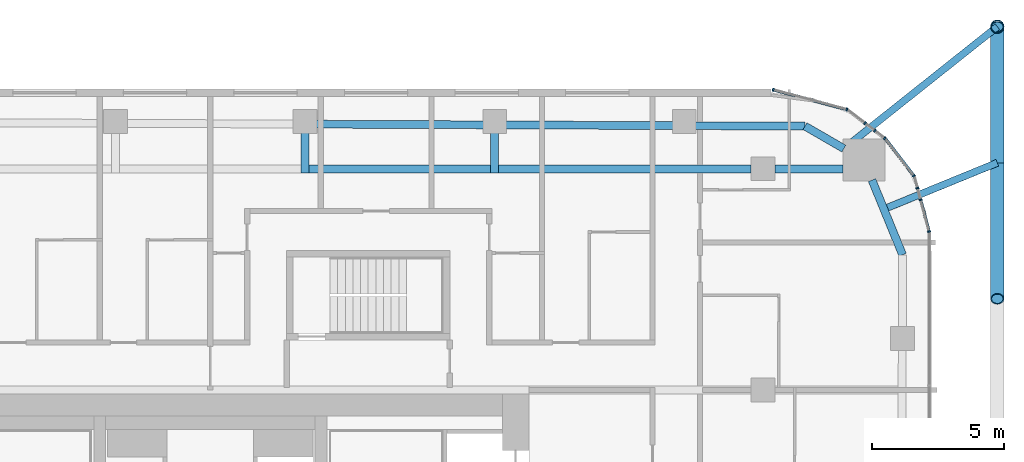
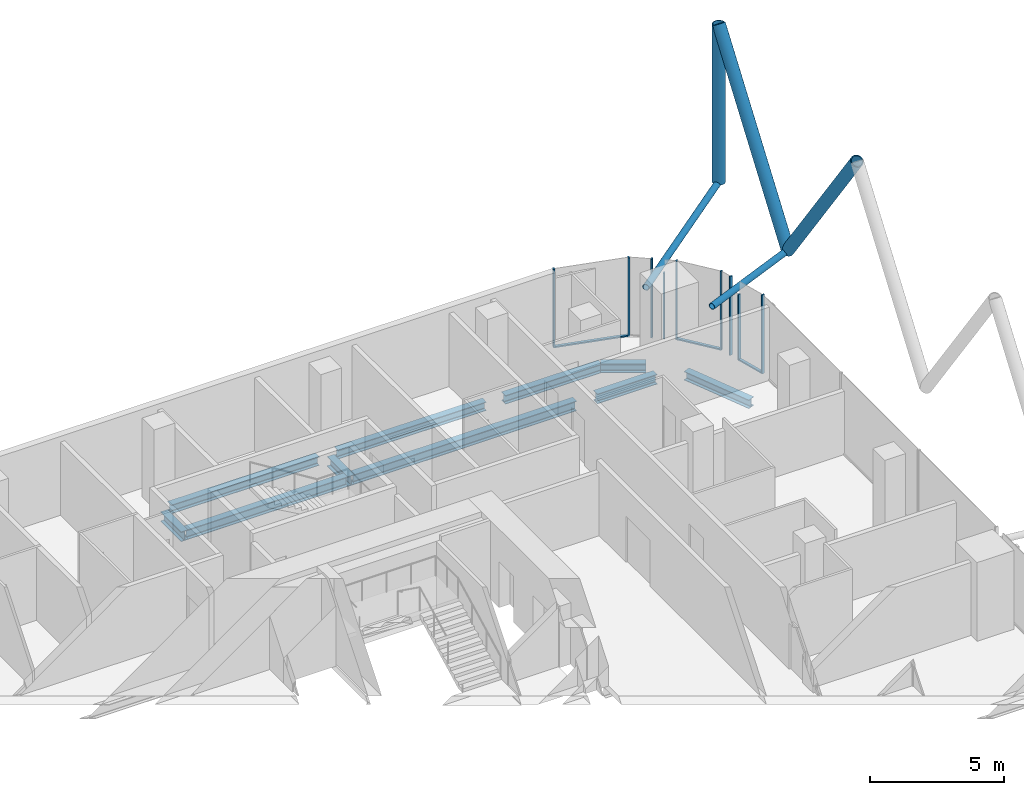
# One storey, part 14 of 36: 17 members, 10 beams, 8 elements without a shape of their own.
"""IFC4 building model written with IfcOpenShell, lengths in metres."""

from ifc_helpers import new_model, si_unit, direction, frame, origin, origin_2d, place, context, subcontext, project, spatial, rectangle, hollow_circle, i_section, extrude, material, layer, layer_set, material_profile, profile_set, type_object, element, aggregate, save


model = new_model("IFC4")

# Units and contexts
model_context = context("Model", 3, precision=1e-05, world=origin(), true_north=direction((0.0, 1.0)))
body_context = subcontext(model_context, "Body", "Model", "MODEL_VIEW")
ifc_project = project(units=[si_unit("LENGTHUNIT", "METRE"), si_unit("AREAUNIT", "SQUARE_METRE"), si_unit("VOLUMEUNIT", "CUBIC_METRE"), si_unit("PLANEANGLEUNIT", "RADIAN"), si_unit("MASSUNIT", "GRAM", prefix="KILO")], contexts=[model_context])

# Site, building, storey
site_placement = place(None, origin())
site = spatial("IfcSite", under=ifc_project, at=site_placement, CompositionType="ELEMENT")
building_placement = place(site_placement, origin())
building = spatial("IfcBuilding", under=site, at=building_placement, Name="Marenta Gate Hotel Tower", CompositionType="ELEMENT")
storey_placement = place(building_placement, frame((0.0, 0.0, 115.699951171875)))
storey = spatial("IfcBuildingStorey", under=building, at=storey_placement, Name="L25", CompositionType="ELEMENT", Elevation=115.699951171875)

# Members
ifc_material_1 = material(Name="Steel S355J2W", Category="steel")
ifc_material_profile_1 = material_profile(ifc_material_1, hollow_circle(Radius=0.25390625, WallThickness=0.02490234375, at=origin_2d()), Name="CHS 508x25")
ifc_profile_set_1 = profile_set([ifc_material_profile_1], Name="Steel S355J2W")
member_type_1 = type_object("IfcMemberType", Name="Diagrid corner post Z2 CHS 508x25", PredefinedType="POST", material=ifc_profile_set_1)
member_1_placement = place(storey_placement, frame((29.89990234375, 30.60009765625, 3.14013671875), z_axis=(0.0, 0.0, 1.0), x_axis=(1.0, 0.0, 0.0)))
element("IfcMember", 1, at=member_1_placement, inside=storey, type_object=member_type_1, Name="L25-DR-1", PredefinedType="POST", context=body_context, shape_type="SweptSolid", body=[
    extrude(hollow_circle(Radius=0.25390625, WallThickness=0.02490234375, at=origin_2d()), origin(), (0.0, 0.0, 1.0), 7.199951171875),
])
ifc_material_2 = material(Name="Steel S355J2W", Category="steel")
ifc_material_profile_2 = material_profile(ifc_material_2, hollow_circle(Radius=0.25390625, WallThickness=0.0400390625, at=origin_2d()), Name="CHS 508x40")
ifc_profile_set_2 = profile_set([ifc_material_profile_2], Name="Steel S355J2W")
member_type_2 = type_object("IfcMemberType", Name="Diagrid diagonal Z2 CHS 508x40", PredefinedType="BRACE", material=ifc_profile_set_2)
member_2_placement = place(storey_placement, frame((29.89990234375, 25.429931640625, 3.14013671875), z_axis=(0.0, 0.583279014058, 0.812271870595), x_axis=(-1.0, 0.0, 0.0)))
element("IfcMember", 2, at=member_2_placement, inside=storey, type_object=member_type_2, Name="L25-DG-1", PredefinedType="BRACE", context=body_context, shape_type="SweptSolid", body=[
    extrude(hollow_circle(Radius=0.25390625, WallThickness=0.0400390625, at=origin_2d()), origin(), (0.0, 0.0, 1.0), 8.864013671875),
])
member_3_placement = place(storey_placement, frame((29.89990234375, 25.429931640625, 3.14013671875), z_axis=(0.0, -0.583260841117, 0.812284919975), x_axis=(1.0, 0.0, 0.0)))
element("IfcMember", 3, at=member_3_placement, inside=storey, type_object=member_type_2, Name="L25-DG-2", PredefinedType="BRACE", context=body_context, shape_type="SweptSolid", body=[
    extrude(hollow_circle(Radius=0.25390625, WallThickness=0.0400390625, at=origin_2d()), origin(), (0.0, 0.0, 1.0), 8.86376953125),
])

# Beams
ifc_material_3 = material(Name="Steel S355", Category="steel")
ifc_material_profile_3 = material_profile(ifc_material_3, i_section(OverallWidth=0.300048828125, OverallDepth=0.39990234375, WebThickness=0.013427734375, FlangeThickness=0.02392578125, FilletRadius=0.027099609375, at=origin_2d()), Name="HEB 400")
ifc_profile_set_3 = profile_set([ifc_material_profile_3], Name="Steel S355")
beam_type_1 = type_object("IfcBeamType", Name="Edge beam HEB 400", PredefinedType="SPANDREL", material=ifc_profile_set_3)
beam_1_placement = place(storey_placement, frame((4.011474609375, 26.89697265625, -0.4599609375), z_axis=(0.999991780119, -0.004054589324, 0.0), x_axis=(0.004054589324, 0.999991780119, 0.0)))
element("IfcBeam", 4, at=beam_1_placement, inside=storey, type_object=beam_type_1, Name="L25-EB-17", PredefinedType="SPANDREL", context=body_context, shape_type="SweptSolid", body=[
    extrude(i_section(OverallWidth=0.300048828125, OverallDepth=0.39990234375, WebThickness=0.013427734375, FlangeThickness=0.02392578125, FilletRadius=0.027099609375, at=origin_2d()), origin(), (0.0, 0.0, 1.0), 6.382568359375),
])
beam_2_placement = place(storey_placement, frame((11.214111328125, 26.86767578125, -0.4599609375), z_axis=(0.999991780748, -0.00405443424, 0.0), x_axis=(0.00405443424, 0.999991780748, 0.0)))
element("IfcBeam", 5, at=beam_2_placement, inside=storey, type_object=beam_type_1, Name="L25-EB-18", PredefinedType="SPANDREL", context=body_context, shape_type="SweptSolid", body=[
    extrude(i_section(OverallWidth=0.300048828125, OverallDepth=0.39990234375, WebThickness=0.013427734375, FlangeThickness=0.02392578125, FilletRadius=0.027099609375, at=origin_2d()), origin(), (0.0, 0.0, 1.0), 6.3828125),
])
beam_3_placement = place(storey_placement, frame((18.4169921875, 26.83837890625, -0.4599609375), z_axis=(0.999991621459, -0.004093532953, 0.0), x_axis=(0.004093532953, 0.999991621459, 0.0)))
element("IfcBeam", 6, at=beam_3_placement, inside=storey, type_object=beam_type_1, Name="L25-EB-19", PredefinedType="SPANDREL", context=body_context, shape_type="SweptSolid", body=[
    extrude(i_section(OverallWidth=0.300048828125, OverallDepth=0.39990234375, WebThickness=0.013427734375, FlangeThickness=0.02392578125, FilletRadius=0.027099609375, at=origin_2d()), origin(), (0.0, 0.0, 1.0), 4.1748046875),
])
beam_4_placement = place(storey_placement, frame((22.591796875, 26.8212890625, -0.4599609375), z_axis=(0.866016478054, -0.500015459501, 0.0), x_axis=(0.500015459501, 0.866016478054, 0.0)))
element("IfcBeam", 7, at=beam_4_placement, inside=storey, type_object=beam_type_1, Name="L25-EB-20", PredefinedType="SPANDREL", context=body_context, shape_type="SweptSolid", body=[
    extrude(i_section(OverallWidth=0.300048828125, OverallDepth=0.39990234375, WebThickness=0.013427734375, FlangeThickness=0.02392578125, FilletRadius=0.027099609375, at=origin_2d()), origin(), (0.0, 0.0, 1.0), 1.70703125),
])
beam_5_placement = place(storey_placement, frame((25.138916015625, 24.7724609375, -0.4599609375), z_axis=(0.378682450416, -0.925526661824, 0.0), x_axis=(0.925526661824, 0.378682450416, 0.0)))
element("IfcBeam", 8, at=beam_5_placement, inside=storey, type_object=beam_type_1, Name="L25-EB-21", PredefinedType="SPANDREL", context=body_context, shape_type="SweptSolid", body=[
    extrude(i_section(OverallWidth=0.300048828125, OverallDepth=0.39990234375, WebThickness=0.013427734375, FlangeThickness=0.02392578125, FilletRadius=0.027099609375, at=origin_2d()), origin(), (0.0, 0.0, 1.0), 3.066162109375),
])

# Members
ifc_material_4 = material(Name="Steel S355J2W", Category="steel")
ifc_material_profile_4 = material_profile(ifc_material_4, hollow_circle(Radius=0.136474609375, WallThickness=0.012451171875, at=origin_2d()), Name="CHS 273x12.5")
ifc_profile_set_4 = profile_set([ifc_material_profile_4], Name="Steel S355J2W")
member_type_3 = type_object("IfcMemberType", Name="Floor tie CHS 273x12.5", PredefinedType="STRUT", material=ifc_profile_set_4)
member_4_placement = place(storey_placement, frame((29.89990234375, 30.60009765625, 3.14013671875), z_axis=(-0.782942525187, -0.622094046149, 0.0), x_axis=(0.622094046149, -0.782942525187, 0.0)))
element("IfcMember", 9, at=member_4_placement, inside=storey, type_object=member_type_3, Name="L25-DR-7", PredefinedType="STRUT", context=body_context, shape_type="SweptSolid", body=[
    extrude(hollow_circle(Radius=0.136474609375, WallThickness=0.012451171875, at=origin_2d()), origin(), (0.0, 0.0, 1.0), 7.43896484375),
])
member_5_placement = place(storey_placement, frame((29.89990234375, 25.429931640625, 3.14013671875), z_axis=(-0.925554485394, -0.378614440516, 0.0), x_axis=(0.378614440516, -0.925554485394, 0.0)))
element("IfcMember", 10, at=member_5_placement, inside=storey, type_object=member_type_3, Name="L25-DR-8", PredefinedType="STRUT", context=body_context, shape_type="SweptSolid", body=[
    extrude(hollow_circle(Radius=0.136474609375, WallThickness=0.012451171875, at=origin_2d()), origin(), (0.0, 0.0, 1.0), 4.6484375),
])

# Beams
ifc_material_5 = material(Name="Steel S355", Category="steel")
ifc_material_profile_5 = material_profile(ifc_material_5, i_section(OverallWidth=0.300048828125, OverallDepth=0.449951171875, WebThickness=0.013916015625, FlangeThickness=0.02587890625, FilletRadius=0.027099609375, at=origin_2d()), Name="HEB 450")
ifc_profile_set_5 = profile_set([ifc_material_profile_5], Name="Steel S355")
beam_type_2 = type_object("IfcBeamType", Name="Girder HEB 450", PredefinedType="BEAM", material=ifc_profile_set_5)
beam_6_placement = place(storey_placement, frame((3.75146484375, 25.199951171875, -0.48486328125), z_axis=(1.0, 0.0, 0.0), x_axis=(0.0, 1.0, 0.0)))
element("IfcBeam", 11, at=beam_6_placement, inside=storey, type_object=beam_type_2, Name="L25-GD-33", PredefinedType="BEAM", context=body_context, shape_type="SweptSolid", body=[
    extrude(i_section(OverallWidth=0.300048828125, OverallDepth=0.449951171875, WebThickness=0.013916015625, FlangeThickness=0.02587890625, FilletRadius=0.027099609375, at=origin_2d()), origin(), (0.0, 0.0, 1.0), 6.902587890625),
])
beam_7_placement = place(storey_placement, frame((10.9541015625, 25.199951171875, -0.48486328125), z_axis=(1.0, 0.0, 0.0), x_axis=(0.0, 1.0, 0.0)))
element("IfcBeam", 12, at=beam_7_placement, inside=storey, type_object=beam_type_2, Name="L25-GD-34", PredefinedType="BEAM", context=body_context, shape_type="SweptSolid", body=[
    extrude(i_section(OverallWidth=0.300048828125, OverallDepth=0.449951171875, WebThickness=0.013916015625, FlangeThickness=0.02587890625, FilletRadius=0.027099609375, at=origin_2d()), origin(), (0.0, 0.0, 1.0), 9.595947265625),
])
beam_8_placement = place(storey_placement, frame((21.449951171875, 25.199951171875, -0.48486328125), z_axis=(1.0, 0.0, 0.0), x_axis=(0.0, 1.0, 0.0)))
element("IfcBeam", 13, at=beam_8_placement, inside=storey, type_object=beam_type_2, Name="L25-GD-35", PredefinedType="BEAM", context=body_context, shape_type="SweptSolid", body=[
    extrude(i_section(OverallWidth=0.300048828125, OverallDepth=0.449951171875, WebThickness=0.013916015625, FlangeThickness=0.02587890625, FilletRadius=0.027099609375, at=origin_2d()), origin(), (0.0, 0.0, 1.0), 2.58544921875),
])
ifc_material_6 = material(Name="Steel S355", Category="steel")
ifc_material_profile_6 = material_profile(ifc_material_6, i_section(OverallWidth=0.300048828125, OverallDepth=0.449951171875, WebThickness=0.013916015625, FlangeThickness=0.02587890625, FilletRadius=0.027099609375, at=origin_2d()), Name="HEB 450")
ifc_profile_set_6 = profile_set([ifc_material_profile_6], Name="Steel S355")
beam_type_3 = type_object("IfcBeamType", Name="Girder bracket HEB 450", PredefinedType="BEAM", material=ifc_profile_set_6)
for number, where, z_axis, x_axis, name in (
    (14, (3.601318359375, 25.050048828125, -0.48486328125), (0.0, 1.0, 0.0), (-1.0, 0.0, 0.0), "L25-GS-3"),
    (15, (10.80419921875, 25.050048828125, -0.48486328125), (0.0, 1.0, 0.0), (-1.0, 0.0, 0.0), "L25-GS-4"),
):
    element("IfcBeam", number, at=place(storey_placement, frame(where, z_axis=z_axis, x_axis=x_axis)), inside=storey, type_object=beam_type_3, Name=name, PredefinedType="BEAM", context=body_context, shape_type="SweptSolid", body=[
        extrude(i_section(OverallWidth=0.300048828125, OverallDepth=0.449951171875, WebThickness=0.013916015625, FlangeThickness=0.02587890625, FilletRadius=0.027099609375, at=origin_2d()), origin(), (0.0, 0.0, 1.0), 1.5400390625),
    ])

# Curtain wall, member
ifc_material_7 = material(Name="Tinted insulated glass in bronze anodised frame", Category="glass")
ifc_layer = layer(ifc_material_7, 0.1201171875)
ifc_layer_set = layer_set([ifc_layer], Name="Tinted insulated glass in bronze anodised frame")
curtain_wall_type = type_object("IfcCurtainWallType", Name="Tower unitised curtain wall CW1", PredefinedType="NOTDEFINED", material=ifc_layer_set)
curtain_wall_1_placement = place(storey_placement, origin())
curtain_wall_1 = element("IfcCurtainWall", 16, at=curtain_wall_1_placement, inside=storey, type_object=curtain_wall_type, Name="CW1 run G36", PredefinedType="NOTDEFINED")
ifc_material_8 = material(Name="Bronze anodised aluminium", Category="aluminium")
ifc_material_profile_7 = material_profile(ifc_material_8, rectangle(XDim=0.1201171875, YDim=0.06005859375, at=origin_2d()), Name="Mullion CW1 60x120 bronze anodised aluminium")
ifc_profile_set_7 = profile_set([ifc_material_profile_7], Name="Bronze anodised aluminium")
member_type_4 = type_object("IfcMemberType", Name="Mullion CW1 60x120 bronze anodised aluminium", PredefinedType="MULLION", material=ifc_profile_set_7)
member_6_placement = place(storey_placement, frame((27.30615234375, 22.82080078125, 0.0), z_axis=(0.0, 0.0, 1.0), x_axis=(-0.965926558196, -0.258816313572, 0.0)))
member_6 = element("IfcMember", 17, at=member_6_placement, type_object=member_type_4, Name="CW1 mullion 1", PredefinedType="MULLION", context=body_context, shape_type="SweptSolid", body=[
    extrude(rectangle(XDim=0.1201171875, YDim=0.06005859375, at=origin_2d()), origin(), (0.0, 0.0, 1.0), 3.60009765625),
])

curtain_wall_2_placement = place(storey_placement, origin())
curtain_wall_2 = element("IfcCurtainWall", 18, at=curtain_wall_2_placement, inside=storey, type_object=curtain_wall_type, Name="CW1 run G37", PredefinedType="NOTDEFINED")
member_7_placement = place(storey_placement, frame((26.983642578125, 24.0244140625, 0.0), z_axis=(0.0, 0.0, 1.0), x_axis=(-0.965921659399, -0.258834595648, 0.0)))
member_7 = element("IfcMember", 19, at=member_7_placement, type_object=member_type_4, Name="CW1 mullion 1", PredefinedType="MULLION", context=body_context, shape_type="SweptSolid", body=[
    extrude(rectangle(XDim=0.1201171875, YDim=0.06005859375, at=origin_2d()), origin(), (0.0, 0.0, 1.0), 3.00048828125),
])
aggregate(curtain_wall_2, [member_7])

curtain_wall_3_placement = place(storey_placement, origin())
curtain_wall_3 = element("IfcCurtainWall", 20, at=curtain_wall_3_placement, inside=storey, type_object=curtain_wall_type, Name="CW1 run G38", PredefinedType="NOTDEFINED")
member_8_placement = place(storey_placement, frame((26.865478515625, 24.465576171875, 0.0), z_axis=(0.0, 0.0, 1.0), x_axis=(-0.965923527755, -0.258827623196, 0.0)))
member_8 = element("IfcMember", 21, at=member_8_placement, type_object=member_type_4, Name="CW1 mullion 1", PredefinedType="MULLION", context=body_context, shape_type="SweptSolid", body=[
    extrude(rectangle(XDim=0.1201171875, YDim=0.06005859375, at=origin_2d()), origin(), (0.0, 0.0, 1.0), 3.60009765625),
])
aggregate(curtain_wall_3, [member_8])

curtain_wall_4_placement = place(storey_placement, origin())
curtain_wall_4 = element("IfcCurtainWall", 22, at=curtain_wall_4_placement, inside=storey, type_object=curtain_wall_type, Name="CW1 run G39", PredefinedType="NOTDEFINED")
member_9_placement = place(storey_placement, frame((26.727783203125, 24.93505859375, 0.0), z_axis=(0.0, 0.0, 1.0), x_axis=(-0.793326722289, -0.608796116694, 0.0)))
member_9 = element("IfcMember", 23, at=member_9_placement, type_object=member_type_4, Name="CW1 mullion 1", PredefinedType="MULLION", context=body_context, shape_type="SweptSolid", body=[
    extrude(rectangle(XDim=0.1201171875, YDim=0.06005859375, at=origin_2d()), origin(), (0.0, 0.0, 1.0), 3.60009765625),
])

curtain_wall_5_placement = place(storey_placement, origin())
curtain_wall_5 = element("IfcCurtainWall", 24, at=curtain_wall_5_placement, inside=storey, type_object=curtain_wall_type, Name="CW1 run G40", PredefinedType="NOTDEFINED")
member_10_placement = place(storey_placement, frame((25.62158203125, 26.36376953125, 0.0), z_axis=(0.0, 0.0, 1.0), x_axis=(-0.608778467767, -0.793340265701, 0.0)))
member_10 = element("IfcMember", 25, at=member_10_placement, type_object=member_type_4, Name="CW1 mullion 1", PredefinedType="MULLION", context=body_context, shape_type="SweptSolid", body=[
    extrude(rectangle(XDim=0.1201171875, YDim=0.06005859375, at=origin_2d()), origin(), (0.0, 0.0, 1.0), 3.60009765625),
])
aggregate(curtain_wall_5, [member_10])

curtain_wall_6_placement = place(storey_placement, origin())
curtain_wall_6 = element("IfcCurtainWall", 26, at=curtain_wall_6_placement, inside=storey, type_object=curtain_wall_type, Name="CW1 run G41", PredefinedType="NOTDEFINED")
member_11_placement = place(storey_placement, frame((25.247314453125, 26.651123046875, 0.0), z_axis=(0.0, 0.0, 1.0), x_axis=(-0.608737274752, -0.79337187392, 0.0)))
member_11 = element("IfcMember", 27, at=member_11_placement, type_object=member_type_4, Name="CW1 mullion 1", PredefinedType="MULLION", context=body_context, shape_type="SweptSolid", body=[
    extrude(rectangle(XDim=0.1201171875, YDim=0.06005859375, at=origin_2d()), origin(), (0.0, 0.0, 1.0), 3.00048828125),
])
aggregate(curtain_wall_6, [member_11])

curtain_wall_7_placement = place(storey_placement, origin())
curtain_wall_7 = element("IfcCurtainWall", 28, at=curtain_wall_7_placement, inside=storey, type_object=curtain_wall_type, Name="CW1 run G42", PredefinedType="NOTDEFINED")
member_12_placement = place(storey_placement, frame((24.876953125, 26.935302734375, 0.0), z_axis=(0.0, 0.0, 1.0), x_axis=(-0.608837310591, -0.793295108539, 0.0)))
member_12 = element("IfcMember", 29, at=member_12_placement, type_object=member_type_4, Name="CW1 mullion 1", PredefinedType="MULLION", context=body_context, shape_type="SweptSolid", body=[
    extrude(rectangle(XDim=0.1201171875, YDim=0.06005859375, at=origin_2d()), origin(), (0.0, 0.0, 1.0), 3.60009765625),
])
aggregate(curtain_wall_7, [member_12])

# Curtain wall, members
curtain_wall_8_placement = place(storey_placement, origin())
curtain_wall_8 = element("IfcCurtainWall", 30, at=curtain_wall_8_placement, inside=storey, type_object=curtain_wall_type, Name="CW1 run G43", PredefinedType="NOTDEFINED")
member_13_placement = place(storey_placement, frame((24.182373046875, 27.453857421875, 0.0), z_axis=(0.0, 0.0, 1.0), x_axis=(-0.258805989975, -0.965929324305, 0.0)))
member_13 = element("IfcMember", 31, at=member_13_placement, type_object=member_type_4, Name="CW1 mullion 1", PredefinedType="MULLION", context=body_context, shape_type="SweptSolid", body=[
    extrude(rectangle(XDim=0.1201171875, YDim=0.06005859375, at=origin_2d()), origin(), (0.0, 0.0, 1.0), 3.60009765625),
])
member_14_placement = place(storey_placement, frame((21.385498046875, 28.203125, 0.0), z_axis=(0.0, 0.0, 1.0), x_axis=(-0.258805989975, -0.965929324305, 0.0)))
member_14 = element("IfcMember", 32, at=member_14_placement, type_object=member_type_4, Name="CW1 mullion 2", PredefinedType="MULLION", context=body_context, shape_type="SweptSolid", body=[
    extrude(rectangle(XDim=0.1201171875, YDim=0.06005859375, at=origin_2d()), origin(), (0.0, 0.0, 1.0), 3.60009765625),
])

# Member
ifc_material_9 = material(Name="Bronze anodised aluminium", Category="aluminium")
ifc_material_profile_8 = material_profile(ifc_material_9, rectangle(XDim=0.1201171875, YDim=0.06005859375, at=origin_2d()), Name="Transom CW1 60x120 bronze anodised aluminium")
ifc_profile_set_8 = profile_set([ifc_material_profile_8], Name="Bronze anodised aluminium")
member_type_5 = type_object("IfcMemberType", Name="Transom CW1 60x120 bronze anodised aluminium", PredefinedType="USERDEFINED", material=ifc_profile_set_8)
member_15_placement = place(storey_placement, frame((27.298583984375, 22.849853515625, 0.030029296875), z_axis=(-0.2589178316, 0.965899351112, 0.0), x_axis=(-0.965899351112, -0.2589178316, 0.0)))
member_15 = element("IfcMember", 33, at=member_15_placement, type_object=member_type_5, Name="CW1 transom 1.1", ObjectType="TRANSOM", PredefinedType="USERDEFINED", context=body_context, shape_type="SweptSolid", body=[
    extrude(rectangle(XDim=0.1201171875, YDim=0.06005859375, at=origin_2d()), origin(), (0.0, 0.0, 1.0), 1.186279296875),
])

aggregate(curtain_wall_1, [member_6, member_15])

member_16_placement = place(storey_placement, frame((26.70947265625, 24.958984375, 0.030029296875), z_axis=(-0.608792205599, 0.793329723634, 0.0), x_axis=(-0.793329723634, -0.608792205599, 0.0)))
member_16 = element("IfcMember", 34, at=member_16_placement, type_object=member_type_5, Name="CW1 transom 1.1", ObjectType="TRANSOM", PredefinedType="USERDEFINED", context=body_context, shape_type="SweptSolid", body=[
    extrude(rectangle(XDim=0.1201171875, YDim=0.06005859375, at=origin_2d()), origin(), (0.0, 0.0, 1.0), 1.74755859375),
])

aggregate(curtain_wall_4, [member_9, member_16])

member_17_placement = place(storey_placement, frame((24.1533203125, 27.461669921875, 0.030029296875), z_axis=(-0.965922684272, 0.258830770986, 0.0), x_axis=(-0.258830770986, -0.965922684272, 0.0)))
member_17 = element("IfcMember", 35, at=member_17_placement, type_object=member_type_5, Name="CW1 transom 1.1", ObjectType="TRANSOM", PredefinedType="USERDEFINED", context=body_context, shape_type="SweptSolid", body=[
    extrude(rectangle(XDim=0.1201171875, YDim=0.06005859375, at=origin_2d()), origin(), (0.0, 0.0, 1.0), 2.83544921875),
])

aggregate(curtain_wall_8, [member_13, member_14, member_17])

save(model, "model.ifc")
